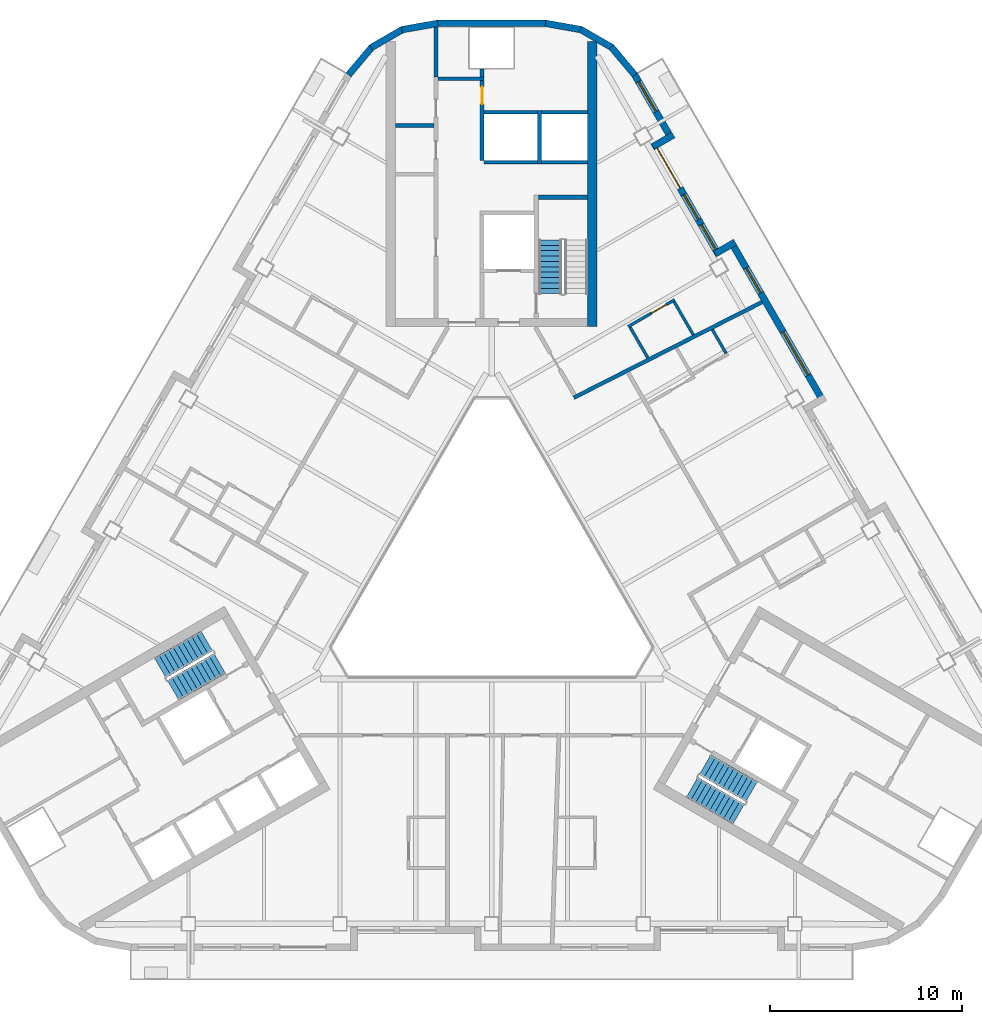
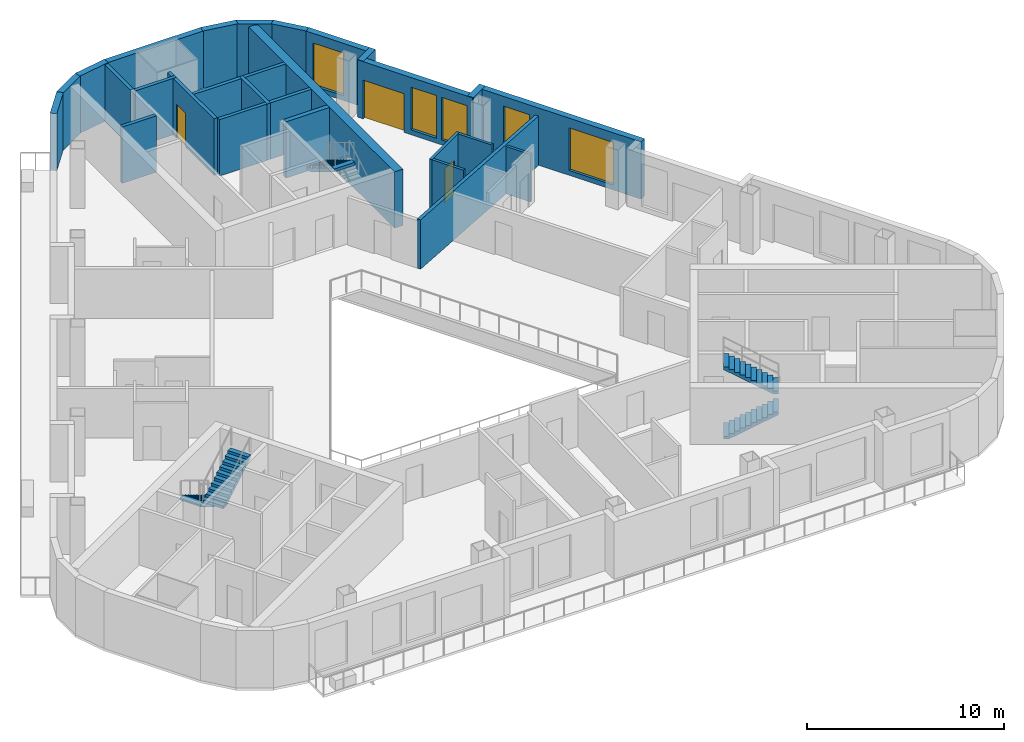
# One storey, part 7 of 14: 29 walls, 5 stair flights, 5 windows, 3 doors, 8 openings, 3 elements without a shape of their own.
"""IFC4 building model written with IfcOpenShell, lengths in metres."""

from ifc_helpers import new_model, si_unit, direction, frame, frame_2d, origin, place, context, subcontext, project, spatial, polyline, rectangle, outline, extrude, material, layer, layer_set, type_object, element, fill, aggregate, save


model = new_model("IFC4")

# Units and contexts
model_context = context("Model", 3, precision=1e-05, world=origin(), true_north=direction((0.0, 1.0)))
body_context = subcontext(model_context, "Body", "Model", "MODEL_VIEW")
ifc_project = project(units=[si_unit("LENGTHUNIT", "METRE"), si_unit("AREAUNIT", "SQUARE_METRE"), si_unit("VOLUMEUNIT", "CUBIC_METRE"), si_unit("PLANEANGLEUNIT", "RADIAN"), si_unit("MASSUNIT", "GRAM", prefix="KILO")], contexts=[model_context])

# Site, building, storey
site_placement = place(None, origin())
site = spatial("IfcSite", under=ifc_project, at=site_placement, CompositionType="ELEMENT")
building_placement = place(site_placement, origin())
building = spatial("IfcBuilding", under=site, at=building_placement, Name="Apuvela Tower Hotel", CompositionType="ELEMENT")
storey_placement = place(building_placement, frame((0.0, 0.0, 209.5)))
storey = spatial("IfcBuildingStorey", under=building, at=storey_placement, Name="L51", CompositionType="ELEMENT", Elevation=209.5)

# Walls
ifc_material_1 = material(Name="Concrete C50/60", Category="concrete")
ifc_layer_1 = layer(ifc_material_1, 0.5)
ifc_layer_set_1 = layer_set([ifc_layer_1], Name="COR-WALL-CORE-500")
wall_type_1 = type_object("IfcWallType", Name="COR-WALL-CORE-500", PredefinedType="SHEAR", material=ifc_layer_set_1)
wall_1_placement = place(storey_placement, frame((5.25, 12.89990234375, 0.0), z_axis=(0.0, 0.0, 1.0), x_axis=(0.0, 1.0, 0.0)))
element("IfcWall", 1, at=wall_1_placement, inside=storey, type_object=wall_type_1, Name="Core wall N", PredefinedType="SHEAR", context=body_context, shape_type="SweptSolid", body=[
    extrude(rectangle(XDim=14.8369140625, YDim=0.5, at=frame_2d((7.41845703125, 0.0))), origin(), (0.0, 0.0, 1.0), 3.5),
])
ifc_material_2 = material(Name="Blockwork 200 mm plastered", Category="masonry")
ifc_layer_2 = layer(ifc_material_2, 0.199951171875)
ifc_layer_set_2 = layer_set([ifc_layer_2], Name="COR-WALL-PART-200")
wall_type_2 = type_object("IfcWallType", Name="COR-WALL-PART-200", PredefinedType="PARTITIONING", material=ifc_layer_set_2)
wall_2_placement = place(storey_placement, frame((5.0, 21.449951171875, 0.0), z_axis=(0.0, 0.0, 1.0), x_axis=(-1.0, 0.0, 0.0)))
element("IfcWall", 2, at=wall_2_placement, inside=storey, type_object=wall_type_2, Name="Partition N", PredefinedType="PARTITIONING", context=body_context, shape_type="SweptSolid", body=[
    extrude(rectangle(XDim=2.39990234375, YDim=0.199951171875, at=frame_2d((1.199951171875, 0.0))), origin(), (0.0, 0.0, 1.0), 3.5),
])
wall_3_placement = place(storey_placement, frame((2.39990234375, 21.449951171875, 0.0), z_axis=(0.0, 0.0, 1.0), x_axis=(-1.0, 0.0, 0.0)))
element("IfcWall", 3, at=wall_3_placement, inside=storey, type_object=wall_type_2, Name="Partition N", PredefinedType="PARTITIONING", context=body_context, shape_type="SweptSolid", body=[
    extrude(rectangle(XDim=2.7998046875, YDim=0.199951171875, at=frame_2d((1.39990234375, 0.0))), origin(), (0.0, 0.0, 1.0), 3.5),
])
ifc_layer_3 = layer(ifc_material_1, 0.199951171875)
ifc_layer_set_3 = layer_set([ifc_layer_3], Name="COR-WALL-SHAFT-200")
wall_type_3 = type_object("IfcWallType", Name="COR-WALL-SHAFT-200", PredefinedType="SHEAR", material=ifc_layer_set_3)
wall_4_placement = place(storey_placement, frame((-0.39990234375, 25.800048828125, 0.0), z_axis=(0.0, 0.0, 1.0), x_axis=(-1.0, 0.0, 0.0)))
element("IfcWall", 4, at=wall_4_placement, inside=storey, type_object=wall_type_3, Name="Shaft wall N", PredefinedType="SHEAR", context=body_context, shape_type="SweptSolid", body=[
    extrude(rectangle(XDim=2.400146484375, YDim=0.199951171875, at=frame_2d((1.2001953125, 0.0))), origin(), (0.0, 0.0, 1.0), 3.5),
])

# Wall, opening, door
wall_5_placement = place(storey_placement, frame((-0.5, 21.550048828125, 0.0), z_axis=(0.0, 0.0, 1.0), x_axis=(0.0, 1.0, 0.0)))
wall_5 = element("IfcWall", 5, at=wall_5_placement, inside=storey, type_object=wall_type_3, Name="Shaft wall N", PredefinedType="SHEAR", context=body_context, shape_type="SweptSolid", body=[
    extrude(rectangle(XDim=4.14990234375, YDim=0.199951171875, at=frame_2d((2.074951171875, 0.0))), origin(), (0.0, 0.0, 1.0), 3.5),
])
opening_1_placement = place(wall_5_placement, frame((2.925048828125, 0.0, 0.0)))
opening_1 = element("IfcOpeningElement", 6, at=opening_1_placement, cuts=wall_5, Name="Opening N-RSP", PredefinedType="OPENING", context=body_context, shape_type="SweptSolid", body=[
    extrude(rectangle(XDim=0.89990234375, YDim=2.10009765625, at=frame_2d((0.449951171875, 1.050048828125))), frame((0.0, 0.10986328125, 0.0), z_axis=(0.0, -1.0, 0.0), x_axis=(1.0, 0.0, 0.0)), (0.0, 0.0, 1.0), 0.219970703125),
])
ifc_material_3 = material(Name="Steel fire door, powder coated", Category="steel")
door_type_1 = type_object("IfcDoorType", Name="COR-DR-900", OperationType="NOTDEFINED", PredefinedType="DOOR", material=ifc_material_3)
door_1_placement = place(opening_1_placement, frame((0.89990234375, 0.0, 0.0), z_axis=(0.0, 0.0, 1.0), x_axis=(-1.0, 0.0, 0.0)))
door_1 = element("IfcDoor", 7, at=door_1_placement, inside=storey, type_object=door_type_1, Name="Store door N-RSP", OperationType="SINGLE_SWING_LEFT", OverallHeight=2.10009765625, OverallWidth=0.89990234375, PredefinedType="DOOR", context=body_context, shape_type="SweptSolid", body=[
    extrude(rectangle(XDim=0.89990234375, YDim=2.10009765625, at=frame_2d((0.449951171875, 1.050048828125))), frame((0.0, 0.02490234375, 0.0), z_axis=(0.0, -1.0, 0.0), x_axis=(1.0, 0.0, 0.0)), (0.0, 0.0, 1.0), 0.050048828125),
])
fill(opening_1, door_1)

# Walls
wall_6_placement = place(storey_placement, frame((-3.0, 23.360107421875, 0.0), z_axis=(0.0, 0.0, 1.0), x_axis=(-1.0, 0.0, 0.0)))
element("IfcWall", 8, at=wall_6_placement, inside=storey, type_object=wall_type_3, Name="Shaft wall N", PredefinedType="SHEAR", context=body_context, shape_type="SweptSolid", body=[
    extrude(rectangle(XDim=2.0, YDim=0.199951171875, at=frame_2d((1.0, 0.0))), origin(), (0.0, 0.0, 1.0), 3.5),
])
wall_7_placement = place(storey_placement, frame((-0.5, 25.89990234375, 0.0), z_axis=(0.0, 0.0, 1.0), x_axis=(0.0, 1.0, 0.0)))
element("IfcWall", 9, at=wall_7_placement, inside=storey, type_object=wall_type_3, Name="Shaft wall N", PredefinedType="SHEAR", context=body_context, shape_type="SweptSolid", body=[
    extrude(rectangle(XDim=0.400146484375, YDim=0.199951171875, at=frame_2d((0.2001953125, 0.0))), origin(), (0.0, 0.0, 1.0), 3.5),
])
wall_8_placement = place(storey_placement, frame((-2.89990234375, 25.89990234375, 0.0), z_axis=(0.0, 0.0, 1.0), x_axis=(0.0, 1.0, 0.0)))
element("IfcWall", 10, at=wall_8_placement, inside=storey, type_object=wall_type_3, Name="Shaft wall N", PredefinedType="SHEAR", context=body_context, shape_type="SweptSolid", body=[
    extrude(rectangle(XDim=2.60009765625, YDim=0.199951171875, at=frame_2d((1.300048828125, 0.0))), origin(), (0.0, 0.0, 1.0), 3.5),
])
wall_9_placement = place(storey_placement, frame((2.5, 21.35009765625, 0.0), z_axis=(0.0, 0.0, 1.0), x_axis=(0.0, 1.0, 0.0)))
element("IfcWall", 11, at=wall_9_placement, inside=storey, type_object=wall_type_3, Name="Shaft wall N", PredefinedType="SHEAR", context=body_context, shape_type="SweptSolid", body=[
    extrude(rectangle(XDim=2.7998046875, YDim=0.199951171875, at=frame_2d((1.39990234375, 0.0))), origin(), (0.0, 0.0, 1.0), 3.5),
])
wall_10_placement = place(storey_placement, frame((5.0, 24.050048828125, 0.0), z_axis=(0.0, 0.0, 1.0), x_axis=(-1.0, 0.0, 0.0)))
element("IfcWall", 12, at=wall_10_placement, inside=storey, type_object=wall_type_3, Name="Shaft wall N", PredefinedType="SHEAR", context=body_context, shape_type="SweptSolid", body=[
    extrude(rectangle(XDim=2.39990234375, YDim=0.199951171875, at=frame_2d((1.199951171875, 0.0))), origin(), (0.0, 0.0, 1.0), 3.5),
])
wall_11_placement = place(storey_placement, frame((2.39990234375, 24.050048828125, 0.0), z_axis=(0.0, 0.0, 1.0), x_axis=(-1.0, 0.0, 0.0)))
element("IfcWall", 13, at=wall_11_placement, inside=storey, type_object=wall_type_3, Name="Shaft wall N", PredefinedType="SHEAR", context=body_context, shape_type="SweptSolid", body=[
    extrude(rectangle(XDim=2.7998046875, YDim=0.199951171875, at=frame_2d((1.39990234375, 0.0))), origin(), (0.0, 0.0, 1.0), 3.5),
])
ifc_layer_4 = layer(ifc_material_1, 0.25)
ifc_layer_set_4 = layer_set([ifc_layer_4], Name="COR-WALL-STAIR-250")
wall_type_4 = type_object("IfcWallType", Name="COR-WALL-STAIR-250", PredefinedType="SHEAR", material=ifc_layer_set_4)
wall_12_placement = place(storey_placement, frame((5.0, 19.625, 0.0), z_axis=(0.0, 0.0, 1.0), x_axis=(-1.0, 0.0, 0.0)))
element("IfcWall", 14, at=wall_12_placement, inside=storey, type_object=wall_type_4, Name="Stair wall N", PredefinedType="SHEAR", context=body_context, shape_type="SweptSolid", body=[
    extrude(rectangle(XDim=2.550048828125, YDim=0.25, at=frame_2d((1.27490234375, 0.0))), origin(), (0.0, 0.0, 1.0), 3.5),
])

# Wall, openings, windows
ifc_material_4 = material(Name="Concrete C40/50, dark pigmented precast panel", Category="concrete")
ifc_layer_5 = layer(ifc_material_4, 0.35009765625)
ifc_layer_set_5 = layer_set([ifc_layer_5], Name="ENV-WALL-350")
wall_type_5 = type_object("IfcWallType", Name="ENV-WALL-350", PredefinedType="SOLIDWALL", material=ifc_layer_set_5)
wall_13_placement = place(storey_placement, frame((17.298583984375, 8.947998046875, 0.0), z_axis=(0.0, 0.0, 1.0), x_axis=(-0.500010041276, 0.866019606374, 0.0)))
wall_13 = element("IfcWall", 15, at=wall_13_placement, inside=storey, type_object=wall_type_5, Name="External wall L51-37", PredefinedType="SOLIDWALL", context=body_context, shape_type="SweptSolid", body=[
    extrude(rectangle(XDim=9.699951171875, YDim=0.35009765625, at=frame_2d((4.85009765625, 0.0))), origin(), (0.0, 0.0, 1.0), 3.550048828125),
])
opening_2_placement = place(wall_13_placement, frame((1.625, 0.0, 0.300048828125)))
opening_2 = element("IfcOpeningElement", 16, at=opening_2_placement, cuts=wall_13, Name="Opening WN26", PredefinedType="OPENING", context=body_context, shape_type="SweptSolid", body=[
    extrude(rectangle(XDim=2.60009765625, YDim=2.64990234375, at=frame_2d((1.300048828125, 1.324951171875))), frame((0.0, 0.18505859375, 0.0), z_axis=(0.0, -1.0, 0.0), x_axis=(1.0, 0.0, 0.0)), (0.0, 0.0, 1.0), 0.3701171875),
])
opening_3_placement = place(wall_13_placement, frame((6.56982421875, 0.0, 0.300048828125)))
opening_3 = element("IfcOpeningElement", 17, at=opening_3_placement, cuts=wall_13, Name="Opening WN15", PredefinedType="OPENING", context=body_context, shape_type="SweptSolid", body=[
    extrude(rectangle(XDim=1.5, YDim=2.64990234375, at=frame_2d((0.75, 1.324951171875))), frame((0.0, 0.18505859375, 0.0), z_axis=(0.0, -1.0, 0.0), x_axis=(1.0, 0.0, 0.0)), (0.0, 0.0, 1.0), 0.3701171875),
])
ifc_material_5 = material(Name="Glass, dark tinted laminated insulated glazing unit", Category="glass")
window_type_1 = type_object("IfcWindowType", Name="ENV-WIN-1500x2650", PartitioningType="SINGLE_PANEL", PredefinedType="WINDOW", material=ifc_material_5)
window_1_placement = place(opening_3_placement, origin())
window_1 = element("IfcWindow", 18, at=window_1_placement, inside=storey, type_object=window_type_1, Name="Window WN15", OverallHeight=2.64990234375, OverallWidth=1.5, PartitioningType="SINGLE_PANEL", PredefinedType="WINDOW", context=body_context, shape_type="SweptSolid", body=[
    extrude(rectangle(XDim=1.5, YDim=2.64990234375, at=frame_2d((0.75, 1.324951171875))), frame((0.0, 0.030029296875, 0.0), z_axis=(0.0, -1.0, 0.0), x_axis=(1.0, 0.0, 0.0)), (0.0, 0.0, 1.0), 0.06005859375),
])
fill(opening_3, window_1)
window_type_2 = type_object("IfcWindowType", Name="ENV-WIN-2600x2650", PartitioningType="SINGLE_PANEL", PredefinedType="WINDOW", material=ifc_material_5)
window_2_placement = place(opening_2_placement, origin())
window_2 = element("IfcWindow", 19, at=window_2_placement, inside=storey, type_object=window_type_2, Name="Window WN26", OverallHeight=2.64990234375, OverallWidth=2.60009765625, PartitioningType="SINGLE_PANEL", PredefinedType="WINDOW", context=body_context, shape_type="SweptSolid", body=[
    extrude(rectangle(XDim=2.60009765625, YDim=2.64990234375, at=frame_2d((1.300048828125, 1.324951171875))), frame((0.0, 0.030029296875, 0.0), z_axis=(0.0, -1.0, 0.0), x_axis=(1.0, 0.0, 0.0)), (0.0, 0.0, 1.0), 0.06005859375),
])
fill(opening_2, window_2)

# Wall
wall_14_placement = place(storey_placement, frame((12.6875, 17.284423828125, 0.0), z_axis=(0.0, 0.0, 1.0), x_axis=(-0.865955602162, -0.500120880472, 0.0)))
element("IfcWall", 20, at=wall_14_placement, inside=storey, type_object=wall_type_5, Name="External wall L51-38", PredefinedType="SOLIDWALL", context=body_context, shape_type="SweptSolid", body=[
    extrude(rectangle(XDim=1.219970703125, YDim=0.35009765625, at=frame_2d((0.60986328125, 0.0))), origin(), (0.0, 0.0, 1.0), 3.550048828125),
])

# Wall, openings, door, windows
wall_15_placement = place(storey_placement, frame((11.8291015625, 16.621337890625, 0.0), z_axis=(0.0, 0.0, 1.0), x_axis=(-0.500003597184, 0.866023326939, 0.0)))
wall_15 = element("IfcWall", 21, at=wall_15_placement, inside=storey, type_object=wall_type_5, Name="External wall L51-39", PredefinedType="SOLIDWALL", context=body_context, shape_type="SweptSolid", body=[
    extrude(rectangle(XDim=6.740234375, YDim=0.35009765625, at=frame_2d((3.3701171875, 0.0))), origin(), (0.0, 0.0, 1.0), 3.550048828125),
])
opening_4_placement = place(wall_15_placement, frame((4.01953125, 0.0, 0.0)))
opening_4 = element("IfcOpeningElement", 22, at=opening_4_placement, cuts=wall_15, Name="Opening BD24", PredefinedType="OPENING", context=body_context, shape_type="SweptSolid", body=[
    extrude(rectangle(XDim=2.39990234375, YDim=2.39990234375, at=frame_2d((1.199951171875, 1.199951171875))), frame((0.0, 0.18505859375, 0.0), z_axis=(0.0, -1.0, 0.0), x_axis=(1.0, 0.0, 0.0)), (0.0, 0.0, 1.0), 0.3701171875),
])
opening_5_placement = place(wall_15_placement, frame((0.320068359375, 0.0, 0.300048828125)))
opening_5 = element("IfcOpeningElement", 23, at=opening_5_placement, cuts=wall_15, Name="Opening WN15", PredefinedType="OPENING", context=body_context, shape_type="SweptSolid", body=[
    extrude(rectangle(XDim=1.5, YDim=2.64990234375, at=frame_2d((0.75, 1.324951171875))), frame((0.0, 0.18505859375, 0.0), z_axis=(0.0, -1.0, 0.0), x_axis=(1.0, 0.0, 0.0)), (0.0, 0.0, 1.0), 0.3701171875),
])
opening_6_placement = place(wall_15_placement, frame((2.1201171875, 0.0, 0.300048828125)))
opening_6 = element("IfcOpeningElement", 24, at=opening_6_placement, cuts=wall_15, Name="Opening WN15", PredefinedType="OPENING", context=body_context, shape_type="SweptSolid", body=[
    extrude(rectangle(XDim=1.5, YDim=2.64990234375, at=frame_2d((0.75, 1.324951171875))), frame((0.0, 0.18505859375, 0.0), z_axis=(0.0, -1.0, 0.0), x_axis=(1.0, 0.0, 0.0)), (0.0, 0.0, 1.0), 0.3701171875),
])
ifc_material_6 = material(Name="Aluminium 6063-T6, dark bronze anodised frame with dark tinted laminated glass", Category="aluminium")
door_type_2 = type_object("IfcDoorType", Name="ENV-DOOR-BALCONY-2400x2400", OperationType="SLIDING_TO_LEFT", PredefinedType="DOOR", material=ifc_material_6)
door_2_placement = place(opening_4_placement, frame((2.39990234375, 0.0, 0.0), z_axis=(0.0, 0.0, 1.0), x_axis=(-1.0, 0.0, 0.0)))
door_2 = element("IfcDoor", 25, at=door_2_placement, inside=storey, type_object=door_type_2, Name="Balcony door BD24", OperationType="SLIDING_TO_LEFT", OverallHeight=2.39990234375, OverallWidth=2.39990234375, PredefinedType="DOOR", context=body_context, shape_type="SweptSolid", body=[
    extrude(rectangle(XDim=2.39990234375, YDim=2.39990234375, at=frame_2d((1.199951171875, 1.199951171875))), frame((0.0, 0.02490234375, 0.0), z_axis=(0.0, -1.0, 0.0), x_axis=(1.0, 0.0, 0.0)), (0.0, 0.0, 1.0), 0.050048828125),
])
fill(opening_4, door_2)
window_3_placement = place(opening_5_placement, origin())
window_3 = element("IfcWindow", 26, at=window_3_placement, inside=storey, type_object=window_type_1, Name="Window WN15", OverallHeight=2.64990234375, OverallWidth=1.5, PartitioningType="SINGLE_PANEL", PredefinedType="WINDOW", context=body_context, shape_type="SweptSolid", body=[
    extrude(rectangle(XDim=1.5, YDim=2.64990234375, at=frame_2d((0.75, 1.324951171875))), frame((0.0, 0.030029296875, 0.0), z_axis=(0.0, -1.0, 0.0), x_axis=(1.0, 0.0, 0.0)), (0.0, 0.0, 1.0), 0.06005859375),
])
fill(opening_5, window_3)
window_4_placement = place(opening_6_placement, origin())
window_4 = element("IfcWindow", 27, at=window_4_placement, inside=storey, type_object=window_type_1, Name="Window WN15", OverallHeight=2.64990234375, OverallWidth=1.5, PartitioningType="SINGLE_PANEL", PredefinedType="WINDOW", context=body_context, shape_type="SweptSolid", body=[
    extrude(rectangle(XDim=1.5, YDim=2.64990234375, at=frame_2d((0.75, 1.324951171875))), frame((0.0, 0.030029296875, 0.0), z_axis=(0.0, -1.0, 0.0), x_axis=(1.0, 0.0, 0.0)), (0.0, 0.0, 1.0), 0.06005859375),
])
fill(opening_6, window_4)

# Wall
wall_16_placement = place(storey_placement, frame((8.406005859375, 22.26025390625, 0.0), z_axis=(0.0, 0.0, 1.0), x_axis=(0.865955602162, 0.500120880472, 0.0)))
element("IfcWall", 28, at=wall_16_placement, inside=storey, type_object=wall_type_5, Name="External wall L51-40", PredefinedType="SOLIDWALL", context=body_context, shape_type="SweptSolid", body=[
    extrude(rectangle(XDim=1.219970703125, YDim=0.35009765625, at=frame_2d((0.60986328125, 0.0))), origin(), (0.0, 0.0, 1.0), 3.550048828125),
])

# Wall, opening, window
wall_17_placement = place(storey_placement, frame((9.3984375, 22.631103515625, 0.0), z_axis=(0.0, 0.0, 1.0), x_axis=(-0.499954521343, 0.866051659307, 0.0)))
wall_17 = element("IfcWall", 29, at=wall_17_placement, inside=storey, type_object=wall_type_5, Name="External wall L51-41", PredefinedType="SOLIDWALL", context=body_context, shape_type="SweptSolid", body=[
    extrude(rectangle(XDim=3.915771484375, YDim=0.35009765625, at=frame_2d((1.9580078125, 0.0))), origin(), (0.0, 0.0, 1.0), 3.550048828125),
])
opening_7_placement = place(wall_17_placement, frame((1.67626953125, 0.0, 0.300048828125)))
opening_7 = element("IfcOpeningElement", 30, at=opening_7_placement, cuts=wall_17, Name="Opening WN18", PredefinedType="OPENING", context=body_context, shape_type="SweptSolid", body=[
    extrude(rectangle(XDim=1.800048828125, YDim=2.64990234375, at=frame_2d((0.89990234375, 1.324951171875))), frame((0.0, 0.18505859375, 0.0), z_axis=(0.0, -1.0, 0.0), x_axis=(1.0, 0.0, 0.0)), (0.0, 0.0, 1.0), 0.3701171875),
])
window_type_3 = type_object("IfcWindowType", Name="ENV-WIN-1800x2650", PartitioningType="SINGLE_PANEL", PredefinedType="WINDOW", material=ifc_material_5)
window_5_placement = place(opening_7_placement, origin())
window_5 = element("IfcWindow", 31, at=window_5_placement, inside=storey, type_object=window_type_3, Name="Window WN18", OverallHeight=2.64990234375, OverallWidth=1.800048828125, PartitioningType="SINGLE_PANEL", PredefinedType="WINDOW", context=body_context, shape_type="SweptSolid", body=[
    extrude(rectangle(XDim=1.800048828125, YDim=2.64990234375, at=frame_2d((0.89990234375, 1.324951171875))), frame((0.0, 0.030029296875, 0.0), z_axis=(0.0, -1.0, 0.0), x_axis=(1.0, 0.0, 0.0)), (0.0, 0.0, 1.0), 0.06005859375),
])
fill(opening_7, window_5)

# Walls
wall_18_placement = place(storey_placement, frame((7.4580078125, 25.99755859375, 0.0), z_axis=(0.0, 0.0, 1.0), x_axis=(-0.642808304945, 0.766027077259, 0.0)))
element("IfcWall", 32, at=wall_18_placement, inside=storey, type_object=wall_type_5, Name="External wall L51-42", PredefinedType="SOLIDWALL", context=body_context, shape_type="SweptSolid", body=[
    extrude(rectangle(XDim=1.909912109375, YDim=0.35009765625, at=frame_2d((0.955078125, 0.0))), origin(), (0.0, 0.0, 1.0), 3.550048828125),
])
for number, where, z_axis, x_axis, name in (
    (33, (6.27685546875, 27.421630859375, 0.0), (0.0, 0.0, 1.0), (-0.866032345022, 0.499987977232, 0.0), "External wall L51-43"),
    (34, (4.6796875, 28.35595703125, 0.0), (0.0, 0.0, 1.0), (-0.984798995425, 0.173697837091, 0.0), "External wall L51-44"),
):
    element("IfcWall", number, at=place(storey_placement, frame(where, z_axis=z_axis, x_axis=x_axis)), inside=storey, type_object=wall_type_5, Name=name, PredefinedType="SOLIDWALL", context=body_context, shape_type="SweptSolid", body=[
        extrude(rectangle(XDim=1.91015625, YDim=0.35009765625, at=frame_2d((0.955078125, 0.0))), origin(), (0.0, 0.0, 1.0), 3.550048828125),
    ])
wall_19_placement = place(storey_placement, frame((2.8291015625, 28.68505859375, 0.0), z_axis=(0.0, 0.0, 1.0), x_axis=(-1.0, 0.0, 0.0)))
element("IfcWall", 35, at=wall_19_placement, inside=storey, type_object=wall_type_5, Name="External wall L51-45", PredefinedType="SOLIDWALL", context=body_context, shape_type="SweptSolid", body=[
    extrude(rectangle(XDim=5.658203125, YDim=0.35009765625, at=frame_2d((2.8291015625, 0.0))), origin(), (0.0, 0.0, 1.0), 3.550048828125),
])
for number, where, z_axis, x_axis, name in (
    (36, (-2.798583984375, 28.687744140625, 0.0), (0.0, 0.0, 1.0), (-0.984798995425, -0.173697837091, 0.0), "External wall L51-46"),
    (37, (-4.62255859375, 28.376708984375, 0.0), (0.0, 0.0, 1.0), (-0.866032345022, -0.499987977232, 0.0), "External wall L51-47"),
):
    element("IfcWall", number, at=place(storey_placement, frame(where, z_axis=z_axis, x_axis=x_axis)), inside=storey, type_object=wall_type_5, Name=name, PredefinedType="SOLIDWALL", context=body_context, shape_type="SweptSolid", body=[
        extrude(rectangle(XDim=1.91015625, YDim=0.35009765625, at=frame_2d((0.955078125, 0.0))), origin(), (0.0, 0.0, 1.0), 3.550048828125),
    ])
wall_20_placement = place(storey_placement, frame((-6.230224609375, 27.460693359375, 0.0), z_axis=(0.0, 0.0, 1.0), x_axis=(-0.642808304945, -0.766027077259, 0.0)))
element("IfcWall", 38, at=wall_20_placement, inside=storey, type_object=wall_type_5, Name="External wall L51-48", PredefinedType="SOLIDWALL", context=body_context, shape_type="SweptSolid", body=[
    extrude(rectangle(XDim=1.909912109375, YDim=0.35009765625, at=frame_2d((0.955078125, 0.0))), origin(), (0.0, 0.0, 1.0), 3.550048828125),
])
ifc_material_7 = material(Name="Gypsum board partition on twin steel stud", Category="steel")
ifc_layer_6 = layer(ifc_material_7, 0.199951171875)
ifc_layer_set_6 = layer_set([ifc_layer_6], Name="GST-PW1")
wall_type_6 = type_object("IfcWallType", Name="GST-PW1", PredefinedType="PARTITIONING", material=ifc_layer_set_6)
wall_21_placement = place(storey_placement, frame((14.0869140625, 14.16064453125, 0.0), z_axis=(0.0, 0.0, 1.0), x_axis=(-0.891639053189, -0.452746947895, 0.0)))
element("IfcWall", 39, at=wall_21_placement, inside=storey, type_object=wall_type_6, Name="L51 partition 04", PredefinedType="PARTITIONING", context=body_context, shape_type="SweptSolid", body=[
    extrude(rectangle(XDim=10.99560546875, YDim=0.199951171875, at=frame_2d((5.497802734375, 0.0))), origin(), (0.0, 0.0, 1.0), 3.06005859375),
])
ifc_material_8 = material(Name="Moisture-resistant gypsum board wet wall on steel stud", Category="steel")
ifc_layer_7 = layer(ifc_material_8, 0.14990234375)
ifc_layer_set_7 = layer_set([ifc_layer_7], Name="GST-PW3")
wall_type_7 = type_object("IfcWallType", Name="GST-PW3", PredefinedType="PARTITIONING", material=ifc_layer_set_7)
wall_22_placement = place(storey_placement, frame((12.218994140625, 11.486083984375, 0.0), z_axis=(0.0, 0.0, 1.0), x_axis=(-0.500074377092, 0.865982457891, 0.0)))
element("IfcWall", 40, at=wall_22_placement, inside=storey, type_object=wall_type_7, Name="L51 partition 26", PredefinedType="PARTITIONING", context=body_context, shape_type="SweptSolid", body=[
    extrude(rectangle(XDim=1.441162109375, YDim=0.14990234375, at=frame_2d((0.720703125, 0.0))), origin(), (0.0, 0.0, 1.0), 2.949951171875),
])

# Wall, opening, door
wall_23_placement = place(storey_placement, frame((9.534423828125, 14.28564453125, 0.0), z_axis=(0.0, 0.0, 1.0), x_axis=(-0.866034573852, -0.49998411664, 0.0)))
wall_23 = element("IfcWall", 41, at=wall_23_placement, inside=storey, type_object=wall_type_7, Name="L51 partition 28", PredefinedType="PARTITIONING", context=body_context, shape_type="SweptSolid", body=[
    extrude(rectangle(XDim=2.7998046875, YDim=0.14990234375, at=frame_2d((1.39990234375, 0.0))), origin(), (0.0, 0.0, 1.0), 3.550048828125),
])
opening_8_placement = place(wall_23_placement, frame((0.5, 0.0, 0.0)))
opening_8 = element("IfcOpeningElement", 42, at=opening_8_placement, cuts=wall_23, Name="Opening GD20-12", PredefinedType="OPENING", context=body_context, shape_type="SweptSolid", body=[
    extrude(rectangle(XDim=0.89990234375, YDim=2.10009765625, at=frame_2d((0.449951171875, 1.050048828125))), frame((0.0, 0.0849609375, 0.0), z_axis=(0.0, -1.0, 0.0), x_axis=(1.0, 0.0, 0.0)), (0.0, 0.0, 1.0), 0.169921875),
])
ifc_material_9 = material(Name="Timber door leaf in steel frame", Category="steel")
door_type_3 = type_object("IfcDoorType", Name="GST-D2", OperationType="NOTDEFINED", PredefinedType="DOOR", material=ifc_material_9)
door_3_placement = place(opening_8_placement, origin())
door_3 = element("IfcDoor", 43, at=door_3_placement, inside=storey, type_object=door_type_3, Name="Door L51-12", OperationType="SINGLE_SWING_LEFT", OverallHeight=2.10009765625, OverallWidth=0.89990234375, PredefinedType="DOOR", context=body_context, shape_type="SweptSolid", body=[
    extrude(rectangle(XDim=0.89990234375, YDim=2.10009765625, at=frame_2d((0.449951171875, 1.050048828125))), frame((0.0, 0.02490234375, 0.0), z_axis=(0.0, -1.0, 0.0), x_axis=(1.0, 0.0, 0.0)), (0.0, 0.0, 1.0), 0.050048828125),
])
fill(opening_8, door_3)

# Walls
wall_24_placement = place(storey_placement, frame((10.50537109375, 12.4541015625, 0.0), z_axis=(0.0, 0.0, 1.0), x_axis=(-0.499965889992, 0.866045096311, 0.0)))
element("IfcWall", 44, at=wall_24_placement, inside=storey, type_object=wall_type_7, Name="L51 partition 29", PredefinedType="PARTITIONING", context=body_context, shape_type="SweptSolid", body=[
    extrude(rectangle(XDim=1.996826171875, YDim=0.14990234375, at=frame_2d((0.99853515625, 0.0))), origin(), (0.0, 0.0, 1.0), 3.550048828125),
])
wall_25_placement = place(storey_placement, frame((8.13916015625, 11.252685546875, 0.0), z_axis=(0.0, 0.0, 1.0), x_axis=(-0.4999770169, 0.866038672677, 0.0)))
element("IfcWall", 45, at=wall_25_placement, inside=storey, type_object=wall_type_7, Name="L51 partition 30", PredefinedType="PARTITIONING", context=body_context, shape_type="SweptSolid", body=[
    extrude(rectangle(XDim=1.85400390625, YDim=0.14990234375, at=frame_2d((0.927001953125, 0.0))), origin(), (0.0, 0.0, 1.0), 3.550048828125),
])

# Stair, stair flight
stair_type = type_object("IfcStairType", Name="COR-STAIR-22R", PredefinedType="HALF_TURN_STAIR", material=ifc_material_1)
stair_1_placement = place(storey_placement, origin())
stair_1 = element("IfcStair", 46, at=stair_1_placement, inside=storey, type_object=stair_type, Name="L51 Exit stair ST1", PredefinedType="HALF_TURN_STAIR")
stair_flight_type = type_object("IfcStairFlightType", Name="COR-FLIGHT-11R", PredefinedType="STRAIGHT", material=ifc_material_1)
stair_flight_1_placement = place(storey_placement, frame((3.050048828125, 17.39990234375, 1.85009765625), z_axis=(0.0, 0.0, 1.0), x_axis=(0.0, -1.0, 0.0)))
stair_flight_1 = element("IfcStairFlight", 47, at=stair_flight_1_placement, type_object=stair_flight_type, Name="ST1 flight 2", NumberOfRisers=11, NumberOfTreads=10, PredefinedType="STRAIGHT", RiserHeight=0.168181818, TreadLength=0.28, context=body_context, shape_type="SweptSolid", body=[
    extrude(outline(polyline([(0.0, 0.0), (0.0, 0.168212890625), (0.280029296875, 0.168212890625), (0.280029296875, 0.33642578125), (0.56005859375, 0.33642578125), (0.56005859375, 0.504638671875), (0.840087890625, 0.504638671875), (0.840087890625, 0.672607421875), (1.1201171875, 0.672607421875), (1.1201171875, 0.8408203125), (1.39990234375, 0.8408203125), (1.39990234375, 1.009033203125), (1.679931640625, 1.009033203125), (1.679931640625, 1.17724609375), (1.9599609375, 1.17724609375), (1.9599609375, 1.345458984375), (2.239990234375, 1.345458984375), (2.239990234375, 1.513671875), (2.52001953125, 1.513671875), (2.52001953125, 1.681884765625), (2.800048828125, 1.681884765625), (2.800048828125, 1.85009765625), (2.800048828125, 1.5068359375), (0.291015625, 0.0), (0.0, 0.0)])), frame((0.0, 0.60009765625, 0.0), z_axis=(0.0, -1.0, 0.0), x_axis=(1.0, 0.0, 0.0)), (0.0, 0.0, 1.0), 1.199951171875),
])
aggregate(stair_1, [stair_flight_1])

# Stair, stair flights
stair_2_placement = place(storey_placement, origin())
stair_2 = element("IfcStair", 48, at=stair_2_placement, inside=storey, type_object=stair_type, Name="L51 Exit stair ST2", PredefinedType="HALF_TURN_STAIR")
stair_flight_2_placement = place(storey_placement, frame((-14.843994140625, -3.489501953125, 0.0), z_axis=(0.0, 0.0, 1.0), x_axis=(-0.866025403784, -0.5, 0.0)))
stair_flight_2 = element("IfcStairFlight", 49, at=stair_flight_2_placement, type_object=stair_flight_type, Name="ST2 flight 1", NumberOfRisers=11, NumberOfTreads=10, PredefinedType="STRAIGHT", RiserHeight=0.168181818, TreadLength=0.28, context=body_context, shape_type="SweptSolid", body=[
    extrude(outline(polyline([(0.0, 0.0), (0.0, 0.168212890625), (0.280029296875, 0.168212890625), (0.280029296875, 0.33642578125), (0.56005859375, 0.33642578125), (0.56005859375, 0.504638671875), (0.840087890625, 0.504638671875), (0.840087890625, 0.672607421875), (1.1201171875, 0.672607421875), (1.1201171875, 0.8408203125), (1.39990234375, 0.8408203125), (1.39990234375, 1.009033203125), (1.679931640625, 1.009033203125), (1.679931640625, 1.17724609375), (1.9599609375, 1.17724609375), (1.9599609375, 1.345458984375), (2.239990234375, 1.345458984375), (2.239990234375, 1.513671875), (2.52001953125, 1.513671875), (2.52001953125, 1.681884765625), (2.800048828125, 1.681884765625), (2.800048828125, 1.85009765625), (2.800048828125, 1.5068359375), (0.291015625, 0.0), (0.0, 0.0)])), frame((0.0, 0.60009765625, 0.0), z_axis=(0.0, -1.0, 0.0), x_axis=(1.0, 0.0, 0.0)), (0.0, 0.0, 1.0), 1.199951171875),
])
stair_flight_3_placement = place(storey_placement, frame((-16.59375, -6.05859375, 1.85009765625), z_axis=(0.0, 0.0, 1.0), x_axis=(0.866025403784, 0.5, 0.0)))
stair_flight_3 = element("IfcStairFlight", 50, at=stair_flight_3_placement, type_object=stair_flight_type, Name="ST2 flight 2", NumberOfRisers=11, NumberOfTreads=10, PredefinedType="STRAIGHT", RiserHeight=0.168181818, TreadLength=0.28, context=body_context, shape_type="SweptSolid", body=[
    extrude(outline(polyline([(0.0, 0.0), (0.0, 0.168212890625), (0.280029296875, 0.168212890625), (0.280029296875, 0.33642578125), (0.56005859375, 0.33642578125), (0.56005859375, 0.504638671875), (0.840087890625, 0.504638671875), (0.840087890625, 0.672607421875), (1.1201171875, 0.672607421875), (1.1201171875, 0.8408203125), (1.39990234375, 0.8408203125), (1.39990234375, 1.009033203125), (1.679931640625, 1.009033203125), (1.679931640625, 1.17724609375), (1.9599609375, 1.17724609375), (1.9599609375, 1.345458984375), (2.239990234375, 1.345458984375), (2.239990234375, 1.513671875), (2.52001953125, 1.513671875), (2.52001953125, 1.681884765625), (2.800048828125, 1.681884765625), (2.800048828125, 1.85009765625), (2.800048828125, 1.5068359375), (0.291015625, 0.0), (0.0, 0.0)])), frame((0.0, 0.60009765625, 0.0), z_axis=(0.0, -1.0, 0.0), x_axis=(1.0, 0.0, 0.0)), (0.0, 0.0, 1.0), 1.199951171875),
])
aggregate(stair_2, [stair_flight_2, stair_flight_3])

stair_3_placement = place(storey_placement, origin())
stair_3 = element("IfcStair", 51, at=stair_3_placement, inside=storey, type_object=stair_type, Name="L51 Exit stair ST3", PredefinedType="HALF_TURN_STAIR")
stair_flight_4_placement = place(storey_placement, frame((10.444091796875, -11.110595703125, 0.0), z_axis=(0.0, 0.0, 1.0), x_axis=(0.866025403784, -0.5, 0.0)))
stair_flight_4 = element("IfcStairFlight", 52, at=stair_flight_4_placement, type_object=stair_flight_type, Name="ST3 flight 1", NumberOfRisers=11, NumberOfTreads=10, PredefinedType="STRAIGHT", RiserHeight=0.168181818, TreadLength=0.28, context=body_context, shape_type="SweptSolid", body=[
    extrude(outline(polyline([(0.0, 0.0), (0.0, 0.168212890625), (0.280029296875, 0.168212890625), (0.280029296875, 0.33642578125), (0.56005859375, 0.33642578125), (0.56005859375, 0.504638671875), (0.840087890625, 0.504638671875), (0.840087890625, 0.672607421875), (1.1201171875, 0.672607421875), (1.1201171875, 0.8408203125), (1.39990234375, 0.8408203125), (1.39990234375, 1.009033203125), (1.679931640625, 1.009033203125), (1.679931640625, 1.17724609375), (1.9599609375, 1.17724609375), (1.9599609375, 1.345458984375), (2.239990234375, 1.345458984375), (2.239990234375, 1.513671875), (2.52001953125, 1.513671875), (2.52001953125, 1.681884765625), (2.800048828125, 1.681884765625), (2.800048828125, 1.85009765625), (2.800048828125, 1.5068359375), (0.291015625, 0.0), (0.0, 0.0)])), frame((0.0, 0.60009765625, 0.0), z_axis=(0.0, -1.0, 0.0), x_axis=(1.0, 0.0, 0.0)), (0.0, 0.0, 1.0), 1.199951171875),
])
stair_flight_5_placement = place(storey_placement, frame((13.5439453125, -11.34130859375, 1.85009765625), z_axis=(0.0, 0.0, 1.0), x_axis=(-0.866025403784, 0.5, 0.0)))
stair_flight_5 = element("IfcStairFlight", 53, at=stair_flight_5_placement, type_object=stair_flight_type, Name="ST3 flight 2", NumberOfRisers=11, NumberOfTreads=10, PredefinedType="STRAIGHT", RiserHeight=0.168181818, TreadLength=0.28, context=body_context, shape_type="SweptSolid", body=[
    extrude(outline(polyline([(0.0, 0.0), (0.0, 0.168212890625), (0.280029296875, 0.168212890625), (0.280029296875, 0.33642578125), (0.56005859375, 0.33642578125), (0.56005859375, 0.504638671875), (0.840087890625, 0.504638671875), (0.840087890625, 0.672607421875), (1.1201171875, 0.672607421875), (1.1201171875, 0.8408203125), (1.39990234375, 0.8408203125), (1.39990234375, 1.009033203125), (1.679931640625, 1.009033203125), (1.679931640625, 1.17724609375), (1.9599609375, 1.17724609375), (1.9599609375, 1.345458984375), (2.239990234375, 1.345458984375), (2.239990234375, 1.513671875), (2.52001953125, 1.513671875), (2.52001953125, 1.681884765625), (2.800048828125, 1.681884765625), (2.800048828125, 1.85009765625), (2.800048828125, 1.5068359375), (0.291015625, 0.0), (0.0, 0.0)])), frame((0.0, 0.60009765625, 0.0), z_axis=(0.0, -1.0, 0.0), x_axis=(1.0, 0.0, 0.0)), (0.0, 0.0, 1.0), 1.199951171875),
])
aggregate(stair_3, [stair_flight_4, stair_flight_5])

save(model, "model.ifc")
